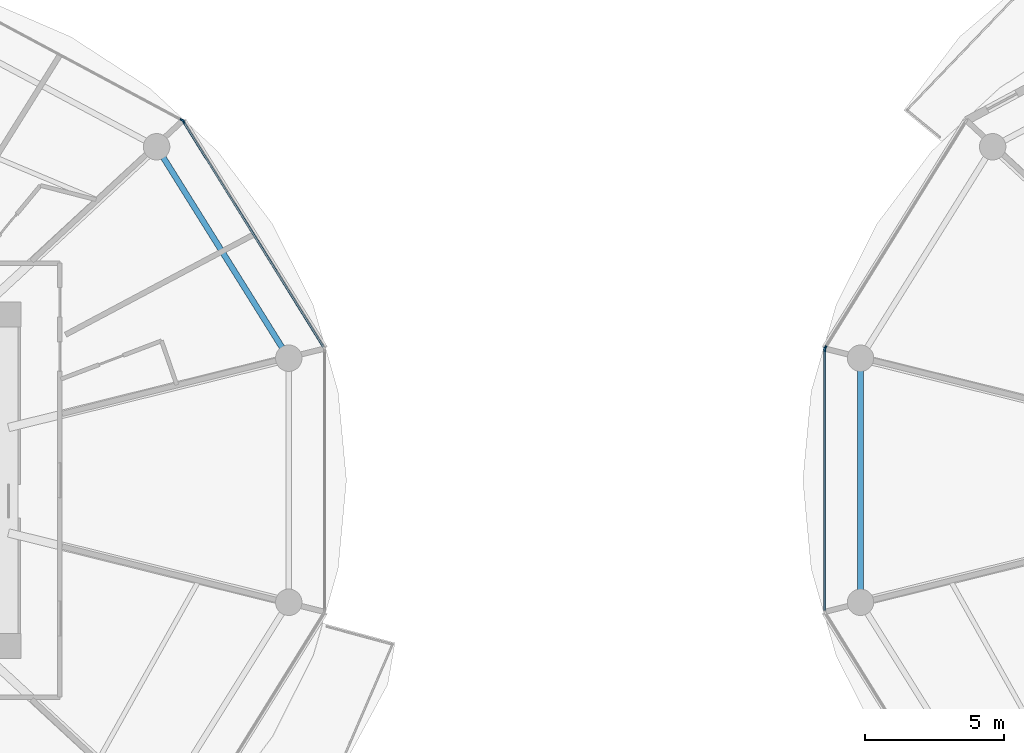
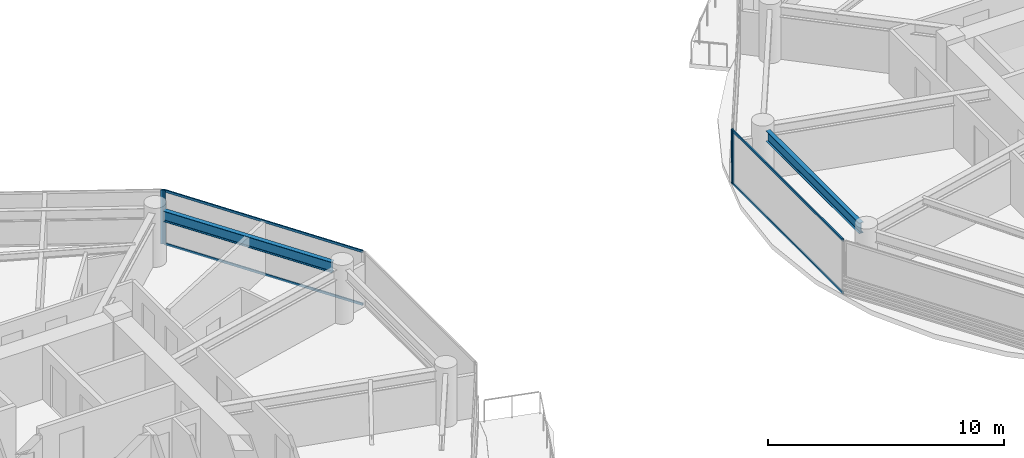
# One storey, part 7 of 26: 8 members, 2 beams, 4 elements without a shape of their own.
"""IFC4 building model written with IfcOpenShell, lengths in metres."""

from ifc_helpers import new_model, si_unit, direction, frame, origin, origin_2d, place, context, subcontext, project, spatial, rectangle, i_section, extrude, source, transform, mapped, material, layer, layer_set, material_profile, profile_set, type_object, type_shapes, element, aggregate, save


model = new_model("IFC4")

# Units and contexts
model_context = context("Model", 3, precision=1e-05, world=origin(), true_north=direction((0.0, 1.0)))
body_context = subcontext(model_context, "Body", "Model", "MODEL_VIEW")
ifc_project = project(units=[si_unit("LENGTHUNIT", "METRE"), si_unit("AREAUNIT", "SQUARE_METRE"), si_unit("VOLUMEUNIT", "CUBIC_METRE"), si_unit("PLANEANGLEUNIT", "RADIAN"), si_unit("MASSUNIT", "GRAM", prefix="KILO")], contexts=[model_context])

# Site, building, storey
site_placement = place(None, origin())
site = spatial("IfcSite", under=ifc_project, at=site_placement, CompositionType="ELEMENT")
building_placement = place(site_placement, origin())
building = spatial("IfcBuilding", under=site, at=building_placement, Name="Norrkilde Senior Care Towers", CompositionType="ELEMENT")
storey_placement = place(building_placement, frame((0.0, 0.0, 49.050048828125)))
storey = spatial("IfcBuildingStorey", under=building, at=storey_placement, Name="L14", CompositionType="ELEMENT", Elevation=49.050048828125)

# Beams
ifc_material_1 = material(Name="Steel S355", Category="steel")
ifc_material_profile_1 = material_profile(ifc_material_1, i_section(OverallWidth=0.2099609375, OverallDepth=0.550048828125, WebThickness=0.010986328125, FlangeThickness=0.01708984375, FilletRadius=0.02392578125, at=origin_2d()), Name="IPE 550")
ifc_profile_set_1 = profile_set([ifc_material_profile_1], Name="Steel S355")
beam_type = type_object("IfcBeamType", Name="Perimeter Ring Spandrel Z1 IPE550", PredefinedType="SPANDREL", material=ifc_profile_set_1)
shared_shape_1 = source(origin(), body_context, "Body", "SweptSolid", [
    extrude(i_section(OverallWidth=0.2099609375, OverallDepth=0.550048828125, WebThickness=0.010986328125, FlangeThickness=0.01708984375, FilletRadius=0.02392578125, at=origin_2d()), origin(), (0.0, 0.0, 1.0), 8.090576171875),
])
beam_1_placement = place(storey_placement, frame((-10.505859375, 4.755859375, 2.514892578125), z_axis=(-0.530004364821, 0.84799491347, 0.0), x_axis=(-0.84799491347, -0.530004364821, 0.0)))
element("IfcBeam", 1, at=beam_1_placement, inside=storey, type_object=beam_type, Name="L14 Drum W Perimeter Spandrel 01", PredefinedType="SPANDREL", context=body_context, shape_type="MappedRepresentation", body=[
    mapped(shared_shape_1, transform((0.0, 0.0, 0.0), x_axis=(1.0, 0.0, 0.0), y_axis=(0.0, 1.0, 0.0), z_axis=(0.0, 0.0, 1.0), scale=1.0)),
])
shared_shape_2 = source(origin(), body_context, "Body", "SweptSolid", [
    extrude(i_section(OverallWidth=0.2099609375, OverallDepth=0.550048828125, WebThickness=0.010986328125, FlangeThickness=0.01708984375, FilletRadius=0.02392578125, at=origin_2d()), origin(), (0.0, 0.0, 1.0), 7.90380859375),
])
type_shapes(beam_type, [shared_shape_1, shared_shape_2])
beam_2_placement = place(storey_placement, frame((10.275146484375, 3.951904296875, 2.514892578125), z_axis=(0.0, -1.0, 0.0), x_axis=(1.0, 0.0, 0.0)))
element("IfcBeam", 2, at=beam_2_placement, inside=storey, type_object=beam_type, Name="L14 Drum E Perimeter Spandrel 06", PredefinedType="SPANDREL", context=body_context, shape_type="MappedRepresentation", body=[
    mapped(shared_shape_2, transform((0.0, 0.0, 0.0), x_axis=(1.0, 0.0, 0.0), y_axis=(0.0, 1.0, 0.0), z_axis=(0.0, 0.0, 1.0), scale=1.0)),
])

# Curtain wall, member
ifc_material_2 = material(Name="Triple Low-E Insulated Glazing", Category="glass")
ifc_layer = layer(ifc_material_2, 0.199951171875)
ifc_layer_set = layer_set([ifc_layer], Name="Triple Low-E Insulated Glazing")
curtain_wall_type = type_object("IfcCurtainWallType", Name="CW2 Zone 1 Memory Care Curtain Wall", PredefinedType="NOTDEFINED", material=ifc_layer_set)
curtain_wall_1_placement = place(storey_placement, origin())
curtain_wall_1 = element("IfcCurtainWall", 3, at=curtain_wall_1_placement, inside=storey, type_object=curtain_wall_type, Name="L14 Drum W Curtain Wall 00", PredefinedType="NOTDEFINED")
ifc_material_3 = material(Name="Anodised Aluminium", Category="aluminium")
ifc_material_profile_2 = material_profile(ifc_material_3, rectangle(XDim=0.06494140625, YDim=0.159912109375, at=origin_2d()), Name="ALU MULL 65x160")
ifc_profile_set_2 = profile_set([ifc_material_profile_2], Name="Anodised Aluminium")
member_type_1 = type_object("IfcMemberType", Name="Curtain Wall Mullion Z1-Z2 65x160", PredefinedType="MULLION", material=ifc_profile_set_2)
shared_shape_3 = source(origin(), body_context, "Body", "SweptSolid", [
    extrude(rectangle(XDim=0.06494140625, YDim=0.159912109375, at=origin_2d()), origin(), (0.0, 0.0, 1.0), 2.7900390625),
])
type_shapes(member_type_1, [shared_shape_3])
member_1_placement = place(storey_placement, frame((-14.06689453125, 12.898193359375, 0.0), z_axis=(0.0, 0.0, 1.0), x_axis=(0.849305943117, 0.527900951871, 0.0)))
member_1 = element("IfcMember", 4, at=member_1_placement, type_object=member_type_1, Name="CW-2 mullion 1", PredefinedType="MULLION", context=body_context, shape_type="MappedRepresentation", body=[
    mapped(shared_shape_3, transform((0.0, 0.0, 0.0), x_axis=(1.0, 0.0, 0.0), y_axis=(0.0, 1.0, 0.0), z_axis=(0.0, 0.0, 1.0), scale=1.0)),
])

curtain_wall_2_placement = place(storey_placement, origin())
curtain_wall_2 = element("IfcCurtainWall", 5, at=curtain_wall_2_placement, inside=storey, type_object=curtain_wall_type, Name="L14 Drum W Curtain Wall 01", PredefinedType="NOTDEFINED")
member_2_placement = place(storey_placement, frame((-14.11279296875, 12.941162109375, 0.0), z_axis=(0.0, 0.0, 1.0), x_axis=(0.472607802456, 0.881272866403, 0.0)))
member_2 = element("IfcMember", 6, at=member_2_placement, type_object=member_type_1, Name="CW-2 mullion 2", PredefinedType="MULLION", context=body_context, shape_type="MappedRepresentation", body=[
    mapped(shared_shape_3, transform((0.0, 0.0, 0.0), x_axis=(1.0, 0.0, 0.0), y_axis=(0.0, 1.0, 0.0), z_axis=(0.0, 0.0, 1.0), scale=1.0)),
])
aggregate(curtain_wall_2, [member_2])

curtain_wall_3_placement = place(storey_placement, origin())
curtain_wall_3 = element("IfcCurtainWall", 7, at=curtain_wall_3_placement, inside=storey, type_object=curtain_wall_type, Name="L14 Drum E Curtain Wall 04", PredefinedType="NOTDEFINED")
member_3_placement = place(storey_placement, frame((9.0078125, 4.7587890625, 0.0), z_axis=(0.0, 0.0, 1.0), x_axis=(-0.849305943117, 0.527900951871, 0.0)))
member_3 = element("IfcMember", 8, at=member_3_placement, type_object=member_type_1, Name="CW-2 mullion 1", PredefinedType="MULLION", context=body_context, shape_type="MappedRepresentation", body=[
    mapped(shared_shape_3, transform((0.0, 0.0, 0.0), x_axis=(1.0, 0.0, 0.0), y_axis=(0.0, 1.0, 0.0), z_axis=(0.0, 0.0, 1.0), scale=1.0)),
])
aggregate(curtain_wall_3, [member_3])

curtain_wall_4_placement = place(storey_placement, origin())
curtain_wall_4 = element("IfcCurtainWall", 9, at=curtain_wall_4_placement, inside=storey, type_object=curtain_wall_type, Name="L14 Drum E Curtain Wall 05", PredefinedType="NOTDEFINED")
member_4_placement = place(storey_placement, frame((8.990478515625, 4.69873046875, 0.0), z_axis=(0.0, 0.0, 1.0), x_axis=(-1.0, 0.0, 0.0)))
member_4 = element("IfcMember", 10, at=member_4_placement, type_object=member_type_1, Name="CW-2 mullion 2", PredefinedType="MULLION", context=body_context, shape_type="MappedRepresentation", body=[
    mapped(shared_shape_3, transform((0.0, 0.0, 0.0), x_axis=(1.0, 0.0, 0.0), y_axis=(0.0, 1.0, 0.0), z_axis=(0.0, 0.0, 1.0), scale=1.0)),
])

# Member
ifc_material_profile_3 = material_profile(ifc_material_3, rectangle(XDim=0.06005859375, YDim=0.1201171875, at=origin_2d()), Name="ALU TRAN 60x120")
ifc_profile_set_3 = profile_set([ifc_material_profile_3], Name="Anodised Aluminium")
member_type_2 = type_object("IfcMemberType", Name="Curtain Wall Transom Typical 60x120", PredefinedType="USERDEFINED", material=ifc_profile_set_3)
shared_shape_4 = source(origin(), body_context, "Body", "SweptSolid", [
    extrude(rectangle(XDim=0.06005859375, YDim=0.1201171875, at=origin_2d()), origin(), (0.0, 0.0, 1.0), 9.5185546875),
])
member_5_placement = place(storey_placement, frame((-14.0498046875, 12.87060546875, 0.030029296875), z_axis=(0.527901620669, -0.849305527413, 0.0), x_axis=(0.849305527413, 0.527901620669, 0.0)))
member_5 = element("IfcMember", 11, at=member_5_placement, type_object=member_type_2, Name="CW-2 transom 1.1", ObjectType="TRANSOM", PredefinedType="USERDEFINED", context=body_context, shape_type="MappedRepresentation", body=[
    mapped(shared_shape_4, transform((0.0, 0.0, 0.0), x_axis=(1.0, 0.0, 0.0), y_axis=(0.0, 1.0, 0.0), z_axis=(0.0, 0.0, 1.0), scale=1.0)),
])

member_6_placement = place(storey_placement, frame((-14.0498046875, 12.87060546875, 2.760009765625), z_axis=(0.527901620669, -0.849305527413, 0.0), x_axis=(0.849305527413, 0.527901620669, 0.0)))
member_6 = element("IfcMember", 12, at=member_6_placement, type_object=member_type_2, Name="CW-2 transom 1.2", ObjectType="TRANSOM", PredefinedType="USERDEFINED", context=body_context, shape_type="MappedRepresentation", body=[
    mapped(shared_shape_4, transform((0.0, 0.0, 0.0), x_axis=(1.0, 0.0, 0.0), y_axis=(0.0, 1.0, 0.0), z_axis=(0.0, 0.0, 1.0), scale=1.0)),
])

aggregate(curtain_wall_1, [member_1, member_5, member_6])

shared_shape_5 = source(origin(), body_context, "Body", "SweptSolid", [
    extrude(rectangle(XDim=0.06005859375, YDim=0.1201171875, at=origin_2d()), origin(), (0.0, 0.0, 1.0), 9.33251953125),
])
type_shapes(member_type_2, [shared_shape_4, shared_shape_5])
member_7_placement = place(storey_placement, frame((8.990478515625, -4.666259765625, 0.030029296875), z_axis=(0.0, 1.0, 0.0), x_axis=(-1.0, 0.0, 0.0)))
member_7 = element("IfcMember", 13, at=member_7_placement, type_object=member_type_2, Name="CW-2 transom 1.1", ObjectType="TRANSOM", PredefinedType="USERDEFINED", context=body_context, shape_type="MappedRepresentation", body=[
    mapped(shared_shape_5, transform((0.0, 0.0, 0.0), x_axis=(1.0, 0.0, 0.0), y_axis=(0.0, 1.0, 0.0), z_axis=(0.0, 0.0, 1.0), scale=1.0)),
])

member_8_placement = place(storey_placement, frame((8.990478515625, -4.666259765625, 2.760009765625), z_axis=(0.0, 1.0, 0.0), x_axis=(-1.0, 0.0, 0.0)))
member_8 = element("IfcMember", 14, at=member_8_placement, type_object=member_type_2, Name="CW-2 transom 1.2", ObjectType="TRANSOM", PredefinedType="USERDEFINED", context=body_context, shape_type="MappedRepresentation", body=[
    mapped(shared_shape_5, transform((0.0, 0.0, 0.0), x_axis=(1.0, 0.0, 0.0), y_axis=(0.0, 1.0, 0.0), z_axis=(0.0, 0.0, 1.0), scale=1.0)),
])

aggregate(curtain_wall_4, [member_4, member_7, member_8])

save(model, "model.ifc")
